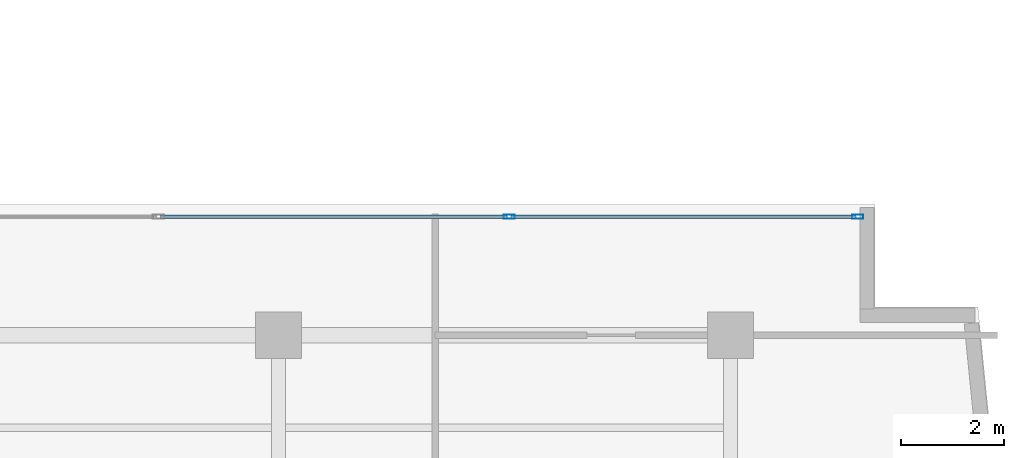
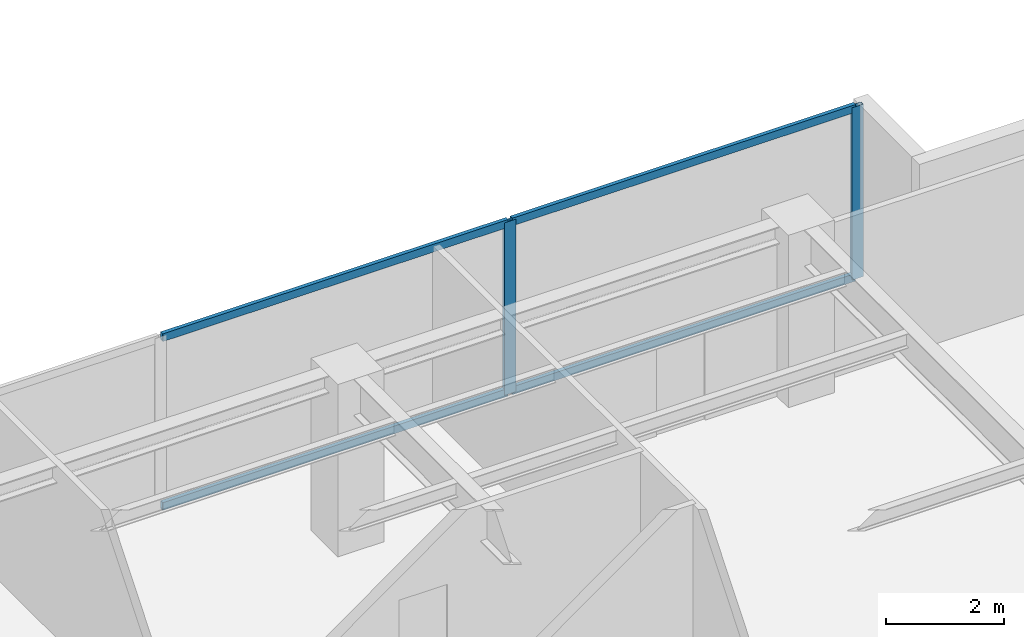
# One storey, part 12 of 22: 6 members, 1 element without a shape of its own.
"""IFC4 building model written with IfcOpenShell, lengths in metres."""

from ifc_helpers import new_model, si_unit, direction, frame, origin, origin_with_axes, origin_2d, place, context, subcontext, project, spatial, hollow_rectangle, extrude, source, transform, mapped, material, layer, layer_set, material_profile, profile_set, type_object, element, aggregate, save


model = new_model("IFC4")

# Units and contexts
model_context = context("Model", 3, precision=1e-05, world=origin(), true_north=direction((0.0, 1.0)))
body_context = subcontext(model_context, "Body", "Model", "MODEL_VIEW")
ifc_project = project(units=[si_unit("LENGTHUNIT", "METRE"), si_unit("AREAUNIT", "SQUARE_METRE"), si_unit("VOLUMEUNIT", "CUBIC_METRE"), si_unit("PLANEANGLEUNIT", "RADIAN"), si_unit("MASSUNIT", "GRAM", prefix="KILO")], contexts=[model_context])

# Site, building, storey
site_placement = place(None, origin())
site = spatial("IfcSite", under=ifc_project, at=site_placement, CompositionType="ELEMENT")
building_placement = place(site_placement, origin())
building = spatial("IfcBuilding", under=site, at=building_placement, Name="Kolvaren Waterfront Exchange", CompositionType="ELEMENT")
storey_placement = place(building_placement, frame((0.0, 0.0, 281.800048828125)))
storey = spatial("IfcBuildingStorey", under=building, at=storey_placement, Name="L72", CompositionType="ELEMENT", Elevation=281.800048828125)

# Curtain wall, members
ifc_material_1 = material(Name="Anodised bronze aluminium 6063-T6", Category="aluminium")
ifc_layer = layer(ifc_material_1, 0.219970703125, Name="Anodised bronze aluminium 6063-T6")
ifc_layer_set = layer_set([ifc_layer], Name="Anodised bronze aluminium 6063-T6")
curtain_wall_type = type_object("IfcCurtainWallType", Name="ARC-CW-SYS1", PredefinedType="USERDEFINED", material=ifc_layer_set)
curtain_wall_placement = place(storey_placement, origin())
curtain_wall = element("IfcCurtainWall", 1, at=curtain_wall_placement, inside=storey, type_object=curtain_wall_type, Name="L72 stick curtain wall CW1 (CW-L72-EN)", ObjectType="STICK CURTAIN WALL", PredefinedType="USERDEFINED")
ifc_material_2 = material(Name="Anodised aluminium 6063-T6", Category="aluminium")
ifc_material_profile_1 = material_profile(ifc_material_2, hollow_rectangle(XDim=0.080078125, YDim=0.219970703125, WallThickness=0.0048828125, at=origin_2d()), Name="ALU-MUL-220x80x5")
ifc_profile_set_1 = profile_set([ifc_material_profile_1], Name="Anodised aluminium 6063-T6")
member_type_1 = type_object("IfcMemberType", Name="ARC-CWM-220", PredefinedType="MULLION", material=ifc_profile_set_1)
shared_shape_1 = source(origin_with_axes(), body_context, "Body", "SweptSolid", [
    extrude(hollow_rectangle(XDim=0.080078125, YDim=0.219970703125, WallThickness=0.0048828125, at=origin_2d()), origin(), (0.0, 0.0, 1.0), 3.56005859375),
])
member_1_placement = place(storey_placement, frame((41.28955078125, 19.70751953125, 0.0), z_axis=(0.0, 0.0, 1.0), x_axis=(0.0, 1.0, 0.0)))
member_1 = element("IfcMember", 2, at=member_1_placement, type_object=member_type_1, Name="CW1 mullion 3", PredefinedType="MULLION", context=body_context, shape_type="MappedRepresentation", body=[
    mapped(shared_shape_1, transform((0.0, 0.0, 0.0), x_axis=(1.0, 0.0, 0.0), y_axis=(0.0, 1.0, 0.0), z_axis=(0.0, 0.0, 1.0), scale=1.0)),
])
member_2_placement = place(storey_placement, frame((48.07568359375, 19.70751953125, 0.0), z_axis=(0.0, 0.0, 1.0), x_axis=(0.0, 1.0, 0.0)))
member_2 = element("IfcMember", 3, at=member_2_placement, type_object=member_type_1, Name="CW1 mullion 4", PredefinedType="MULLION", context=body_context, shape_type="MappedRepresentation", body=[
    mapped(shared_shape_1, transform((0.0, 0.0, 0.0), x_axis=(1.0, 0.0, 0.0), y_axis=(0.0, 1.0, 0.0), z_axis=(0.0, 0.0, 1.0), scale=1.0)),
])
ifc_material_profile_2 = material_profile(ifc_material_2, hollow_rectangle(XDim=0.074951171875, YDim=0.159912109375, WallThickness=0.00439453125, at=origin_2d()), Name="ALU-TRN-160x75x4.5")
ifc_profile_set_2 = profile_set([ifc_material_profile_2], Name="Anodised aluminium 6063-T6")
member_type_2 = type_object("IfcMemberType", Name="ARC-CWT-160", PredefinedType="USERDEFINED", material=ifc_profile_set_2)
shared_shape_2 = source(origin_with_axes(), body_context, "Body", "SweptSolid", [
    extrude(hollow_rectangle(XDim=0.074951171875, YDim=0.159912109375, WallThickness=0.00439453125, at=origin_2d()), origin(), (0.0, 0.0, 1.0), 6.706298828125),
])
member_3_placement = place(storey_placement, frame((41.32958984375, 19.70751953125, 0.037353515625), z_axis=(1.0, 0.0, 0.0), x_axis=(0.0, 1.0, 0.0)))
member_3 = element("IfcMember", 4, at=member_3_placement, type_object=member_type_2, Name="CW1 transom 3.1", ObjectType="TRANSOM", PredefinedType="USERDEFINED", context=body_context, shape_type="MappedRepresentation", body=[
    mapped(shared_shape_2, transform((0.0, 0.0, 0.0), x_axis=(1.0, 0.0, 0.0), y_axis=(0.0, 1.0, 0.0), z_axis=(0.0, 0.0, 1.0), scale=1.0)),
])
member_4_placement = place(storey_placement, frame((41.32958984375, 19.70751953125, 3.5224609375), z_axis=(1.0, 0.0, 0.0), x_axis=(0.0, 1.0, 0.0)))
member_4 = element("IfcMember", 5, at=member_4_placement, type_object=member_type_2, Name="CW1 transom 3.2", ObjectType="TRANSOM", PredefinedType="USERDEFINED", context=body_context, shape_type="MappedRepresentation", body=[
    mapped(shared_shape_2, transform((0.0, 0.0, 0.0), x_axis=(1.0, 0.0, 0.0), y_axis=(0.0, 1.0, 0.0), z_axis=(0.0, 0.0, 1.0), scale=1.0)),
])
shared_shape_3 = source(origin_with_axes(), body_context, "Body", "SweptSolid", [
    extrude(hollow_rectangle(XDim=0.074951171875, YDim=0.159912109375, WallThickness=0.00439453125, at=origin_2d()), origin(), (0.0, 0.0, 1.0), 6.746337890625),
])
member_5_placement = place(storey_placement, frame((34.50341796875, 19.70751953125, 0.037353515625), z_axis=(1.0, 0.0, 0.0), x_axis=(0.0, 1.0, 0.0)))
member_5 = element("IfcMember", 6, at=member_5_placement, type_object=member_type_2, Name="CW1 transom 2.1", ObjectType="TRANSOM", PredefinedType="USERDEFINED", context=body_context, shape_type="MappedRepresentation", body=[
    mapped(shared_shape_3, transform((0.0, 0.0, 0.0), x_axis=(1.0, 0.0, 0.0), y_axis=(0.0, 1.0, 0.0), z_axis=(0.0, 0.0, 1.0), scale=1.0)),
])
member_6_placement = place(storey_placement, frame((34.50341796875, 19.70751953125, 3.5224609375), z_axis=(1.0, 0.0, 0.0), x_axis=(0.0, 1.0, 0.0)))
member_6 = element("IfcMember", 7, at=member_6_placement, type_object=member_type_2, Name="CW1 transom 2.2", ObjectType="TRANSOM", PredefinedType="USERDEFINED", context=body_context, shape_type="MappedRepresentation", body=[
    mapped(shared_shape_3, transform((0.0, 0.0, 0.0), x_axis=(1.0, 0.0, 0.0), y_axis=(0.0, 1.0, 0.0), z_axis=(0.0, 0.0, 1.0), scale=1.0)),
])
aggregate(curtain_wall, [member_1, member_2, member_5, member_6, member_3, member_4])

save(model, "model.ifc")
